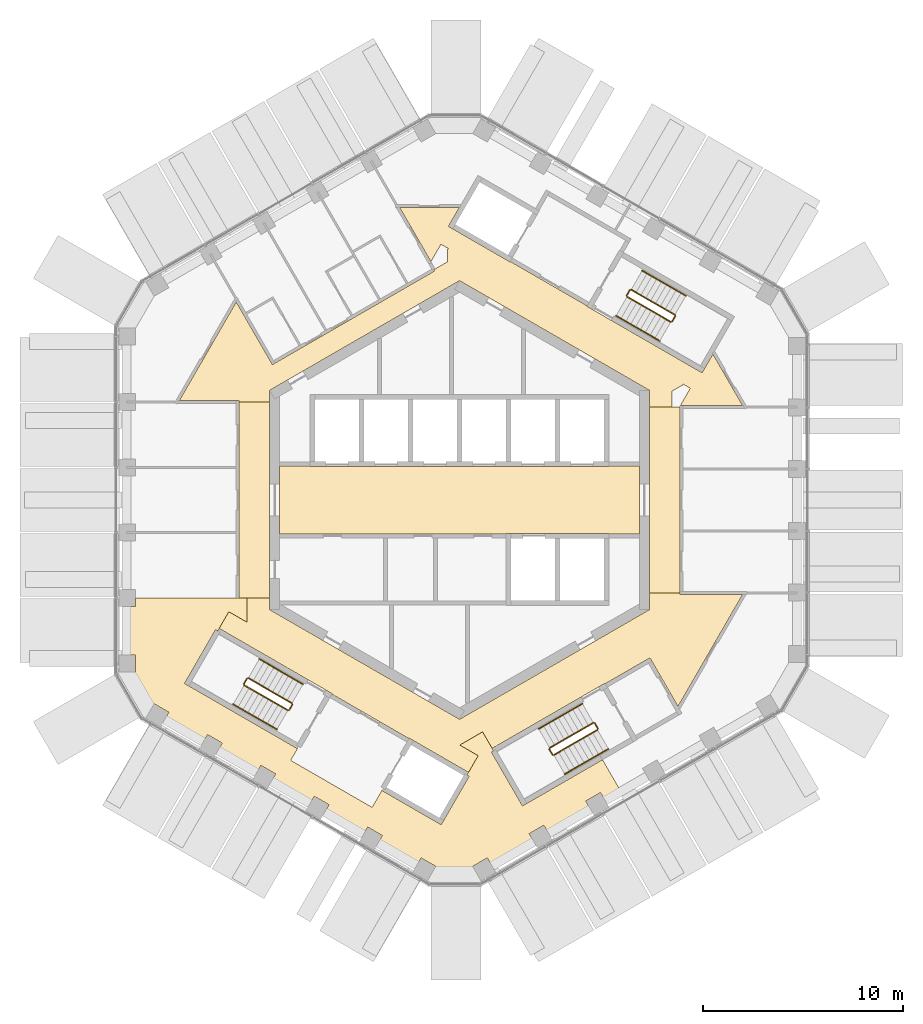
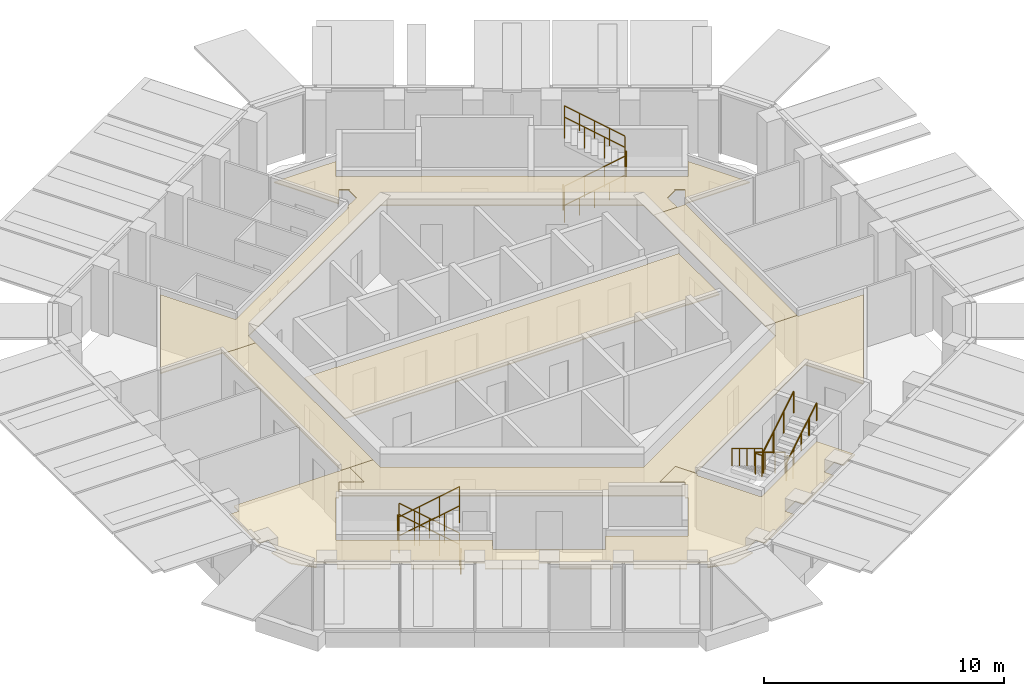
# One storey, part 17 of 17: 24 railings, 6 coverings.
"""IFC4 building model written with IfcOpenShell, lengths in metres."""

from ifc_helpers import new_model, si_unit, direction, frame, origin, origin_2d, place, context, subcontext, project, spatial, polyline, circle, outline, extrude, material, layer, layer_set, type_object, element, save


model = new_model("IFC4")

# Units and contexts
model_context = context("Model", 3, precision=1e-05, world=origin(), true_north=direction((0.0, 1.0)))
body_context = subcontext(model_context, "Body", "Model", "MODEL_VIEW")
ifc_project = project(units=[si_unit("LENGTHUNIT", "METRE"), si_unit("AREAUNIT", "SQUARE_METRE"), si_unit("VOLUMEUNIT", "CUBIC_METRE"), si_unit("PLANEANGLEUNIT", "RADIAN"), si_unit("MASSUNIT", "GRAM", prefix="KILO")], contexts=[model_context])

# Site, building, storey
site_placement = place(None, origin())
site = spatial("IfcSite", under=ifc_project, at=site_placement, CompositionType="ELEMENT")
building_placement = place(site_placement, origin())
building = spatial("IfcBuilding", under=site, at=building_placement, Name="Ayvan Gate Tower", CompositionType="ELEMENT")
storey_placement = place(building_placement, frame((0.0, 0.0, 232.5)))
storey = spatial("IfcBuildingStorey", under=building, at=storey_placement, Name="L62", CompositionType="ELEMENT", Elevation=232.5)

# Coverings
ifc_material_1 = material(Name="Plasterboard suspended ceiling")
ifc_layer = layer(ifc_material_1, 0.050048828125)
ifc_layer_set = layer_set([ifc_layer], Name="Plasterboard suspended ceiling")
covering_type = type_object("IfcCoveringType", Name="CT-SUSP-50", PredefinedType="CEILING", material=ifc_layer_set)
covering_1_placement = place(storey_placement, frame((0.0, 0.0, 2.699951171875)))
element("IfcCovering", 1, at=covering_1_placement, inside=storey, type_object=covering_type, Name="Ceiling Lift Lobby L62", PredefinedType="CEILING", context=body_context, shape_type="SweptSolid", body=[
    extrude(outline(polyline([(7.47509765625, -1.675048828125), (2.324951171875, -1.675048828125), (2.324951171875, -1.699951171875), (-9.0, -1.699951171875), (-9.0, 1.699951171875), (-7.47509765625, 1.699951171875), (-7.47509765625, 1.675048828125), (7.47509765625, 1.675048828125), (7.47509765625, 1.699951171875), (9.0, 1.699951171875), (9.0, -1.699951171875), (7.47509765625, -1.699951171875), (7.47509765625, -1.675048828125)])), origin(), (0.0, 0.0, 1.0), 0.050048828125),
])
covering_2_placement = place(storey_placement, frame((0.0, 0.0, 2.699951171875)))
element("IfcCovering", 2, at=covering_2_placement, inside=storey, type_object=covering_type, Name="Ceiling Gallery L62", PredefinedType="CEILING", context=body_context, shape_type="SweptSolid", body=[
    extrude(outline(polyline([(-4.66748046875, -8.27490234375), (0.0, -10.9697265625), (4.66748046875, -8.27490234375), (8.38720703125, -6.127197265625), (9.5, -5.48486328125), (9.5, -4.646240234375), (11.02490234375, -4.646240234375), (11.02490234375, -4.72119140625), (14.160400390625, -4.72119140625), (10.92578125, -10.323974609375), (9.623779296875, -8.069091796875), (9.52392578125, -7.89599609375), (7.2939453125, -9.183349609375), (7.281494140625, -9.16162109375), (1.630615234375, -12.42431640625), (1.153076171875, -11.59716796875), (0.010009765625, -12.257080078125), (0.930419921875, -12.78857421875), (0.447998046875, -13.624267578125), (-2.284423828125, -12.046630859375), (-2.518310546875, -11.91162109375), (-2.53076171875, -11.933349609375), (-6.384521484375, -9.70849609375), (-6.3720703125, -9.686767578125), (-12.02294921875, -6.42431640625), (-11.540283203125, -5.58837890625), (-10.6201171875, -6.119873046875), (-10.6201171875, -4.89306640625), (-9.5, -4.89306640625), (-9.5, -5.48486328125), (-4.66748046875, -8.27490234375)])), origin(), (0.0, 0.0, 1.0), 0.050048828125),
])
covering_3_placement = place(storey_placement, frame((0.0, 0.0, 2.699951171875)))
element("IfcCovering", 3, at=covering_3_placement, inside=storey, type_object=covering_type, Name="Ceiling Gallery L62", PredefinedType="CEILING", context=body_context, shape_type="SweptSolid", body=[
    extrude(outline(polyline([(-9.2314453125, 6.846435546875), (-9.2314453125, 6.8466796875), (-1.24853515625, 11.455322265625), (-1.2861328125, 11.5205078125), (-0.60009765625, 11.91650390625), (-0.60009765625, 12.56298828125), (-0.53955078125, 12.56298828125), (-0.930419921875, 12.78857421875), (-1.43115234375, 11.92138671875), (-2.991455078125, 14.623779296875), (-0.01513671875, 14.623779296875), (-0.55615234375, 13.686767578125), (-0.339599609375, 13.561767578125), (2.518310546875, 11.91162109375), (2.53076171875, 11.933349609375), (6.384521484375, 9.70849609375), (6.3720703125, 9.686767578125), (6.588623046875, 9.561767578125), (12.131103515625, 6.36181640625), (12.24609375, 6.56103515625), (12.672119140625, 7.298828125), (14.160400390625, 4.72119140625), (11.039794921875, 4.72119140625), (11.540283203125, 5.58837890625), (11.149658203125, 5.814208984375), (11.1796875, 5.76171875), (10.6201171875, 5.438720703125), (10.6201171875, 4.646240234375), (9.5, 4.646240234375), (9.5, 5.48486328125), (4.66748046875, 8.27490234375), (0.0, 10.9697265625), (-4.667724609375, 8.27490234375), (-9.5, 5.48486328125), (-9.5, 4.89306640625), (-11.02490234375, 4.89306640625), (-11.02490234375, 4.968017578125), (-14.017822265625, 4.968017578125), (-11.1689453125, 9.902587890625), (-9.361328125, 6.771484375), (-9.2314453125, 6.846435546875)])), origin(), (0.0, 0.0, 1.0), 0.050048828125),
])
covering_4_placement = place(storey_placement, frame((0.0, 0.0, 2.699951171875)))
element("IfcCovering", 4, at=covering_4_placement, inside=storey, type_object=covering_type, Name="Ceiling Lift Lounge Lobby L62", PredefinedType="CEILING", context=body_context, shape_type="SweptSolid", body=[
    extrude(outline(polyline([(11.02490234375, -4.646240234375), (9.5, -4.646240234375), (9.5, 4.646240234375), (11.02490234375, 4.646240234375), (11.02490234375, -4.5712890625), (11.02490234375, -4.5712890625), (11.02490234375, -4.646240234375)])), origin(), (0.0, 0.0, 1.0), 0.050048828125),
])
covering_5_placement = place(storey_placement, frame((0.0, 0.0, 2.699951171875)))
element("IfcCovering", 5, at=covering_5_placement, inside=storey, type_object=covering_type, Name="Ceiling Lift Lounge Lobby L62", PredefinedType="CEILING", context=body_context, shape_type="SweptSolid", body=[
    extrude(outline(polyline([(-11.02490234375, 4.89306640625), (-9.5, 4.89306640625), (-9.5, -4.89306640625), (-11.02490234375, -4.89306640625), (-11.02490234375, 4.89306640625)])), origin(), (0.0, 0.0, 1.0), 0.050048828125),
])
covering_6_placement = place(storey_placement, frame((0.0, 0.0, 2.699951171875)))
element("IfcCovering", 6, at=covering_6_placement, inside=storey, type_object=covering_type, Name="Ceiling Gym L62", PredefinedType="CEILING", context=body_context, shape_type="SweptSolid", body=[
    extrude(outline(polyline([(-13.53955078125, -9.301513671875), (-8.106201171875, -12.438232421875), (-8.444091796875, -13.023681640625), (-4.3720703125, -15.374755859375), (-3.88427734375, -14.529541015625), (-0.9189453125, -16.24169921875), (-0.803955078125, -16.042236328125), (0.483642578125, -13.812255859375), (0.376220703125, -13.750244140625), (0.38671875, -13.732177734375), (0.931640625, -12.7880859375), (0.011962890625, -12.257080078125), (1.152587890625, -11.5986328125), (1.691650390625, -12.531982421875), (1.7021484375, -12.55029296875), (1.5947265625, -12.6123046875), (3.147216796875, -15.30126953125), (3.346435546875, -15.186279296875), (7.15185546875, -12.9892578125), (8.064453125, -14.56982421875), (7.277587890625, -15.024169921875), (7.05029296875, -14.63037109375), (6.314208984375, -15.055419921875), (6.54150390625, -15.44921875), (4.44677734375, -16.65869140625), (4.219482421875, -16.264892578125), (3.4833984375, -16.689697265625), (3.710693359375, -17.08349609375), (1.61572265625, -18.29296875), (1.388427734375, -17.899169921875), (0.65234375, -18.32421875), (0.820556640625, -18.615478515625), (-0.2373046875, -18.898681640625), (-1.3466796875, -18.6015625), (-1.1865234375, -18.32421875), (-1.922607421875, -17.899169921875), (-2.135009765625, -18.267333984375), (-4.069580078125, -17.150390625), (-3.857177734375, -16.7822265625), (-4.59326171875, -16.357421875), (-4.805908203125, -16.725341796875), (-6.740234375, -15.6083984375), (-6.52783203125, -15.240478515625), (-7.263916015625, -14.8154296875), (-7.4765625, -15.18359375), (-9.410888671875, -14.06640625), (-9.198486328125, -13.698486328125), (-9.9345703125, -13.2734375), (-10.147216796875, -13.6416015625), (-12.081787109375, -12.524658203125), (-11.869140625, -12.156494140625), (-12.605224609375, -11.731689453125), (-12.81787109375, -12.099609375), (-14.75244140625, -10.982666015625), (-14.539794921875, -10.61474609375), (-15.27587890625, -10.189697265625), (-15.43603515625, -10.467041015625), (-16.248291015625, -9.655029296875), (-16.531494140625, -8.59716796875), (-16.1953125, -8.59716796875), (-16.1953125, -7.7470703125), (-16.650146484375, -7.7470703125), (-16.650146484375, -5.328369140625), (-16.1953125, -5.328369140625), (-16.1953125, -4.89404296875), (-10.62109375, -4.89404296875), (-10.62109375, -6.1181640625), (-11.540771484375, -5.587158203125), (-12.09619140625, -6.54931640625), (-12.20361328125, -6.4873046875), (-13.756103515625, -9.17626953125), (-13.53955078125, -9.30126953125), (-13.53955078125, -9.301513671875)])), origin(), (0.0, 0.0, 1.0), 0.050048828125),
])

# Railings
ifc_material_2 = material(Name="Stainless steel balustrade", Category="steel")
railing_type_1 = type_object("IfcRailingType", Name="RL-GUARD-1100", PredefinedType="GUARDRAIL", material=ifc_material_2)
railing_1_placement = place(storey_placement, frame((8.381103515625, 10.16650390625, 0.169921875)))
element("IfcRailing", 7, at=railing_1_placement, inside=storey, type_object=railing_type_1, Name="L62 STS1 stair guard 1", PredefinedType="GUARDRAIL", context=body_context, shape_type="SweptSolid", body=[
    extrude(circle(Radius=0.02392578125, at=origin_2d()), frame((0.0, 0.0, 1.076171875), z_axis=(0.740261155115, -0.427395438142, 0.518986090067), x_axis=(0.500004791531, 0.866022637375, 0.0)), (0.0, 0.0, 1.0), 2.947998046875),
    extrude(circle(Radius=0.02099609375, at=origin_2d()), origin(), (0.0, 0.0, 1.0), 1.052001953125),
    extrude(circle(Radius=0.02099609375, at=origin_2d()), frame((0.7275390625, -0.419921875, 0.510009765625)), (0.0, 0.0, 1.0), 1.052001953125),
    extrude(circle(Radius=0.02099609375, at=origin_2d()), frame((1.454833984375, -0.840087890625, 1.02001953125)), (0.0, 0.0, 1.0), 1.052001953125),
    extrude(circle(Radius=0.02099609375, at=origin_2d()), frame((2.182373046875, -1.260009765625, 1.530029296875)), (0.0, 0.0, 1.0), 1.052001953125),
])
railing_2_placement = place(storey_placement, frame((10.6318359375, 8.9248046875, 1.699951171875)))
element("IfcRailing", 8, at=railing_2_placement, inside=storey, type_object=railing_type_1, Name="L62 STS1 stair guard 2", PredefinedType="GUARDRAIL", context=body_context, shape_type="SweptSolid", body=[
    extrude(circle(Radius=0.02392578125, at=origin_2d()), frame((0.0, 0.0, 1.076171875), z_axis=(0.499949632511, 0.866054481515, 0.0), x_axis=(-0.866054481515, 0.499949632511, 0.0)), (0.0, 0.0, 1.0), 0.31005859375),
    extrude(circle(Radius=0.02099609375, at=origin_2d()), origin(), (0.0, 0.0, 1.0), 1.052001953125),
    extrude(circle(Radius=0.02099609375, at=origin_2d()), frame((0.155029296875, 0.2685546875, 0.0)), (0.0, 0.0, 1.0), 1.052001953125),
])
railing_3_placement = place(storey_placement, frame((10.7685546875, 9.261474609375, 1.8701171875)))
element("IfcRailing", 9, at=railing_3_placement, inside=storey, type_object=railing_type_1, Name="L62 STS1 stair guard 3", PredefinedType="GUARDRAIL", context=body_context, shape_type="SweptSolid", body=[
    extrude(circle(Radius=0.02392578125, at=origin_2d()), frame((0.0, 0.0, 1.076171875), z_axis=(-0.740292969978, 0.427413806696, 0.51892557891), x_axis=(-0.500004791531, -0.866022637375, 0.0)), (0.0, 0.0, 1.0), 2.947998046875),
    extrude(circle(Radius=0.02099609375, at=origin_2d()), origin(), (0.0, 0.0, 1.0), 1.052001953125),
    extrude(circle(Radius=0.02099609375, at=origin_2d()), frame((-0.7275390625, 0.419921875, 0.510009765625)), (0.0, 0.0, 1.0), 1.052001953125),
    extrude(circle(Radius=0.02099609375, at=origin_2d()), frame((-1.454833984375, 0.840087890625, 1.019775390625)), (0.0, 0.0, 1.0), 1.052001953125),
    extrude(circle(Radius=0.02099609375, at=origin_2d()), frame((-2.182373046875, 1.260009765625, 1.52978515625)), (0.0, 0.0, 1.0), 1.052001953125),
])
railing_4_placement = place(storey_placement, frame((8.36279296875, 10.23486328125, 0.0)))
element("IfcRailing", 10, at=railing_4_placement, inside=storey, type_object=railing_type_1, Name="L62 STS1 stair guard 4", PredefinedType="GUARDRAIL", context=body_context, shape_type="SweptSolid", body=[
    extrude(circle(Radius=0.02392578125, at=origin_2d()), frame((0.0, 0.0, 1.076171875), z_axis=(0.500290723946, 0.86585748916, 0.0), x_axis=(-0.86585748916, 0.500290723946, 0.0)), (0.0, 0.0, 1.0), 0.309814453125),
    extrude(circle(Radius=0.02099609375, at=origin_2d()), origin(), (0.0, 0.0, 1.0), 1.052001953125),
    extrude(circle(Radius=0.02099609375, at=origin_2d()), frame((0.155029296875, 0.268310546875, 0.0)), (0.0, 0.0, 1.0), 1.052001953125),
])
railing_5_placement = place(storey_placement, frame((-8.381103515625, -10.16650390625, 0.169921875)))
element("IfcRailing", 11, at=railing_5_placement, inside=storey, type_object=railing_type_1, Name="L62 STS2 stair guard 1", PredefinedType="GUARDRAIL", context=body_context, shape_type="SweptSolid", body=[
    extrude(circle(Radius=0.02392578125, at=origin_2d()), frame((0.0, 0.0, 1.076171875), z_axis=(-0.740261155115, 0.427395438142, 0.518986090067), x_axis=(-0.500004791531, -0.866022637375, 0.0)), (0.0, 0.0, 1.0), 2.947998046875),
    extrude(circle(Radius=0.02099609375, at=origin_2d()), origin(), (0.0, 0.0, 1.0), 1.052001953125),
    extrude(circle(Radius=0.02099609375, at=origin_2d()), frame((-0.7275390625, 0.419921875, 0.510009765625)), (0.0, 0.0, 1.0), 1.052001953125),
    extrude(circle(Radius=0.02099609375, at=origin_2d()), frame((-1.454833984375, 0.840087890625, 1.02001953125)), (0.0, 0.0, 1.0), 1.052001953125),
    extrude(circle(Radius=0.02099609375, at=origin_2d()), frame((-2.182373046875, 1.260009765625, 1.530029296875)), (0.0, 0.0, 1.0), 1.052001953125),
])
railing_6_placement = place(storey_placement, frame((-10.6318359375, -8.9248046875, 1.699951171875)))
element("IfcRailing", 12, at=railing_6_placement, inside=storey, type_object=railing_type_1, Name="L62 STS2 stair guard 2", PredefinedType="GUARDRAIL", context=body_context, shape_type="SweptSolid", body=[
    extrude(circle(Radius=0.02392578125, at=origin_2d()), frame((0.0, 0.0, 1.076171875), z_axis=(-0.499949632511, -0.866054481515, 0.0), x_axis=(0.866054481515, -0.499949632511, 0.0)), (0.0, 0.0, 1.0), 0.31005859375),
    extrude(circle(Radius=0.02099609375, at=origin_2d()), origin(), (0.0, 0.0, 1.0), 1.052001953125),
    extrude(circle(Radius=0.02099609375, at=origin_2d()), frame((-0.155029296875, -0.2685546875, 0.0)), (0.0, 0.0, 1.0), 1.052001953125),
])
railing_7_placement = place(storey_placement, frame((-10.7685546875, -9.261474609375, 1.8701171875)))
element("IfcRailing", 13, at=railing_7_placement, inside=storey, type_object=railing_type_1, Name="L62 STS2 stair guard 3", PredefinedType="GUARDRAIL", context=body_context, shape_type="SweptSolid", body=[
    extrude(circle(Radius=0.02392578125, at=origin_2d()), frame((0.0, 0.0, 1.076171875), z_axis=(0.740292969978, -0.427413806696, 0.51892557891), x_axis=(0.500004791531, 0.866022637375, 0.0)), (0.0, 0.0, 1.0), 2.947998046875),
    extrude(circle(Radius=0.02099609375, at=origin_2d()), origin(), (0.0, 0.0, 1.0), 1.052001953125),
    extrude(circle(Radius=0.02099609375, at=origin_2d()), frame((0.7275390625, -0.419921875, 0.510009765625)), (0.0, 0.0, 1.0), 1.052001953125),
    extrude(circle(Radius=0.02099609375, at=origin_2d()), frame((1.454833984375, -0.840087890625, 1.019775390625)), (0.0, 0.0, 1.0), 1.052001953125),
    extrude(circle(Radius=0.02099609375, at=origin_2d()), frame((2.182373046875, -1.260009765625, 1.52978515625)), (0.0, 0.0, 1.0), 1.052001953125),
])
railing_8_placement = place(storey_placement, frame((-8.36279296875, -10.23486328125, 0.0)))
element("IfcRailing", 14, at=railing_8_placement, inside=storey, type_object=railing_type_1, Name="L62 STS2 stair guard 4", PredefinedType="GUARDRAIL", context=body_context, shape_type="SweptSolid", body=[
    extrude(circle(Radius=0.02392578125, at=origin_2d()), frame((0.0, 0.0, 1.076171875), z_axis=(-0.500290723946, -0.86585748916, 0.0), x_axis=(0.86585748916, -0.500290723946, 0.0)), (0.0, 0.0, 1.0), 0.309814453125),
    extrude(circle(Radius=0.02099609375, at=origin_2d()), origin(), (0.0, 0.0, 1.0), 1.052001953125),
    extrude(circle(Radius=0.02099609375, at=origin_2d()), frame((-0.155029296875, -0.268310546875, 0.0)), (0.0, 0.0, 1.0), 1.052001953125),
])
railing_9_placement = place(storey_placement, frame((6.6923828125, -11.1416015625, 0.169921875)))
element("IfcRailing", 15, at=railing_9_placement, inside=storey, type_object=railing_type_1, Name="L62 STS3 stair guard 1", PredefinedType="GUARDRAIL", context=body_context, shape_type="SweptSolid", body=[
    extrude(circle(Radius=0.02392578125, at=origin_2d()), frame((0.0, 0.0, 1.076171875), z_axis=(-0.740261155115, -0.427395438142, 0.518986090067), x_axis=(0.500004791531, -0.866022637375, 0.0)), (0.0, 0.0, 1.0), 2.947998046875),
    extrude(circle(Radius=0.02099609375, at=origin_2d()), origin(), (0.0, 0.0, 1.0), 1.052001953125),
    extrude(circle(Radius=0.02099609375, at=origin_2d()), frame((-0.7275390625, -0.419921875, 0.510009765625)), (0.0, 0.0, 1.0), 1.052001953125),
    extrude(circle(Radius=0.02099609375, at=origin_2d()), frame((-1.454833984375, -0.840087890625, 1.02001953125)), (0.0, 0.0, 1.0), 1.052001953125),
    extrude(circle(Radius=0.02099609375, at=origin_2d()), frame((-2.182373046875, -1.260009765625, 1.530029296875)), (0.0, 0.0, 1.0), 1.052001953125),
])
railing_10_placement = place(storey_placement, frame((4.49169921875, -12.4697265625, 1.699951171875)))
element("IfcRailing", 16, at=railing_10_placement, inside=storey, type_object=railing_type_1, Name="L62 STS3 stair guard 2", PredefinedType="GUARDRAIL", context=body_context, shape_type="SweptSolid", body=[
    extrude(circle(Radius=0.02392578125, at=origin_2d()), frame((0.0, 0.0, 1.076171875), z_axis=(0.499949632511, -0.866054481515, 0.0), x_axis=(0.866054481515, 0.499949632511, 0.0)), (0.0, 0.0, 1.0), 0.31005859375),
    extrude(circle(Radius=0.02099609375, at=origin_2d()), origin(), (0.0, 0.0, 1.0), 1.052001953125),
    extrude(circle(Radius=0.02099609375, at=origin_2d()), frame((0.155029296875, -0.2685546875, 0.0)), (0.0, 0.0, 1.0), 1.052001953125),
])
railing_11_placement = place(storey_placement, frame((4.715087890625, -12.756591796875, 1.8701171875)))
element("IfcRailing", 17, at=railing_11_placement, inside=storey, type_object=railing_type_1, Name="L62 STS3 stair guard 3", PredefinedType="GUARDRAIL", context=body_context, shape_type="SweptSolid", body=[
    extrude(circle(Radius=0.02392578125, at=origin_2d()), frame((0.0, 0.0, 1.076171875), z_axis=(0.740292969978, 0.427413806696, 0.51892557891), x_axis=(-0.500004791531, 0.866022637375, 0.0)), (0.0, 0.0, 1.0), 2.947998046875),
    extrude(circle(Radius=0.02099609375, at=origin_2d()), origin(), (0.0, 0.0, 1.0), 1.052001953125),
    extrude(circle(Radius=0.02099609375, at=origin_2d()), frame((0.7275390625, 0.419921875, 0.510009765625)), (0.0, 0.0, 1.0), 1.052001953125),
    extrude(circle(Radius=0.02099609375, at=origin_2d()), frame((1.454833984375, 0.840087890625, 1.019775390625)), (0.0, 0.0, 1.0), 1.052001953125),
    extrude(circle(Radius=0.02099609375, at=origin_2d()), frame((2.182373046875, 1.260009765625, 1.52978515625)), (0.0, 0.0, 1.0), 1.052001953125),
])
railing_12_placement = place(storey_placement, frame((6.7607421875, -11.159912109375, 0.0)))
element("IfcRailing", 18, at=railing_12_placement, inside=storey, type_object=railing_type_1, Name="L62 STS3 stair guard 4", PredefinedType="GUARDRAIL", context=body_context, shape_type="SweptSolid", body=[
    extrude(circle(Radius=0.02392578125, at=origin_2d()), frame((0.0, 0.0, 1.076171875), z_axis=(0.500290723946, -0.86585748916, 0.0), x_axis=(0.86585748916, 0.500290723946, 0.0)), (0.0, 0.0, 1.0), 0.309814453125),
    extrude(circle(Radius=0.02099609375, at=origin_2d()), origin(), (0.0, 0.0, 1.0), 1.052001953125),
    extrude(circle(Radius=0.02099609375, at=origin_2d()), frame((0.155029296875, -0.268310546875, 0.0)), (0.0, 0.0, 1.0), 1.052001953125),
])
railing_type_2 = type_object("IfcRailingType", Name="RL-HANDRAIL-900", PredefinedType="HANDRAIL", material=ifc_material_2)
railing_13_placement = place(storey_placement, frame((7.8310546875, 9.2138671875, 0.169921875)))
element("IfcRailing", 19, at=railing_13_placement, inside=storey, type_object=railing_type_2, Name="L62 STS1 stair handrail 1", PredefinedType="HANDRAIL", context=body_context, shape_type="SweptSolid", body=[
    extrude(circle(Radius=0.02392578125, at=origin_2d()), frame((0.0, 0.0, 0.8759765625), z_axis=(0.740292964666, -0.42728318766, 0.519033143459), x_axis=(0.499890179513, 0.866088799389, 0.0)), (0.0, 0.0, 1.0), 1.47412109375),
    extrude(circle(Radius=0.02099609375, at=origin_2d()), origin(), (0.0, 0.0, 1.0), 0.851806640625),
    extrude(circle(Radius=0.02099609375, at=origin_2d()), frame((0.545654296875, -0.31494140625, 0.382568359375)), (0.0, 0.0, 1.0), 0.851806640625),
    extrude(circle(Radius=0.02099609375, at=origin_2d()), frame((1.09130859375, -0.6298828125, 0.76513671875)), (0.0, 0.0, 1.0), 0.851806640625),
])
railing_14_placement = place(storey_placement, frame((8.92236328125, 8.583984375, 0.93505859375)))
element("IfcRailing", 20, at=railing_14_placement, inside=storey, type_object=railing_type_2, Name="L62 STS1 stair handrail 2", PredefinedType="HANDRAIL", context=body_context, shape_type="SweptSolid", body=[
    extrude(circle(Radius=0.02392578125, at=origin_2d()), frame((0.0, 0.0, 0.8759765625), z_axis=(0.740229329464, -0.427507697325, 0.518939021976), x_axis=(0.50011940292, 0.865956455501, 0.0)), (0.0, 0.0, 1.0), 1.473876953125),
    extrude(circle(Radius=0.02099609375, at=origin_2d()), origin(), (0.0, 0.0, 1.0), 0.851806640625),
    extrude(circle(Radius=0.02099609375, at=origin_2d()), frame((0.54541015625, -0.31494140625, 0.38232421875)), (0.0, 0.0, 1.0), 0.851806640625),
    extrude(circle(Radius=0.02099609375, at=origin_2d()), frame((1.091064453125, -0.630126953125, 0.764892578125)), (0.0, 0.0, 1.0), 0.851806640625),
])
railing_15_placement = place(storey_placement, frame((11.318603515625, 10.214111328125, 1.8701171875)))
element("IfcRailing", 21, at=railing_15_placement, inside=storey, type_object=railing_type_2, Name="L62 STS1 stair handrail 3", PredefinedType="HANDRAIL", context=body_context, shape_type="SweptSolid", body=[
    extrude(circle(Radius=0.02392578125, at=origin_2d()), frame((0.0, 0.0, 0.8759765625), z_axis=(-0.740304193401, 0.427455284825, 0.518875399983), x_axis=(-0.500035496587, -0.86600490885, 0.0)), (0.0, 0.0, 1.0), 1.47412109375),
    extrude(circle(Radius=0.02099609375, at=origin_2d()), origin(), (0.0, 0.0, 1.0), 0.851806640625),
    extrude(circle(Radius=0.02099609375, at=origin_2d()), frame((-0.545654296875, 0.31494140625, 0.38232421875)), (0.0, 0.0, 1.0), 0.851806640625),
    extrude(circle(Radius=0.02099609375, at=origin_2d()), frame((-1.09130859375, 0.630126953125, 0.764892578125)), (0.0, 0.0, 1.0), 0.851806640625),
])
railing_16_placement = place(storey_placement, frame((10.227294921875, 10.84423828125, 2.635009765625)))
element("IfcRailing", 22, at=railing_16_placement, inside=storey, type_object=railing_type_2, Name="L62 STS1 stair handrail 4", PredefinedType="HANDRAIL", context=body_context, shape_type="SweptSolid", body=[
    extrude(circle(Radius=0.02392578125, at=origin_2d()), frame((0.0, 0.0, 0.8759765625), z_axis=(-0.740356597536, 0.427319915356, 0.518912129772), x_axis=(-0.499890179513, -0.866088799389, 0.0)), (0.0, 0.0, 1.0), 1.47412109375),
    extrude(circle(Radius=0.02099609375, at=origin_2d()), origin(), (0.0, 0.0, 1.0), 0.851806640625),
    extrude(circle(Radius=0.02099609375, at=origin_2d()), frame((-0.545654296875, 0.31494140625, 0.38232421875)), (0.0, 0.0, 1.0), 0.851806640625),
    extrude(circle(Radius=0.02099609375, at=origin_2d()), frame((-1.09130859375, 0.6298828125, 0.764892578125)), (0.0, 0.0, 1.0), 0.851806640625),
])
railing_17_placement = place(storey_placement, frame((-7.8310546875, -9.2138671875, 0.169921875)))
element("IfcRailing", 23, at=railing_17_placement, inside=storey, type_object=railing_type_2, Name="L62 STS2 stair handrail 1", PredefinedType="HANDRAIL", context=body_context, shape_type="SweptSolid", body=[
    extrude(circle(Radius=0.02392578125, at=origin_2d()), frame((0.0, 0.0, 0.8759765625), z_axis=(-0.740292964666, 0.42728318766, 0.519033143459), x_axis=(-0.499890179513, -0.866088799389, 0.0)), (0.0, 0.0, 1.0), 1.47412109375),
    extrude(circle(Radius=0.02099609375, at=origin_2d()), origin(), (0.0, 0.0, 1.0), 0.851806640625),
    extrude(circle(Radius=0.02099609375, at=origin_2d()), frame((-0.545654296875, 0.31494140625, 0.382568359375)), (0.0, 0.0, 1.0), 0.851806640625),
    extrude(circle(Radius=0.02099609375, at=origin_2d()), frame((-1.09130859375, 0.6298828125, 0.76513671875)), (0.0, 0.0, 1.0), 0.851806640625),
])
railing_18_placement = place(storey_placement, frame((-8.92236328125, -8.583984375, 0.93505859375)))
element("IfcRailing", 24, at=railing_18_placement, inside=storey, type_object=railing_type_2, Name="L62 STS2 stair handrail 2", PredefinedType="HANDRAIL", context=body_context, shape_type="SweptSolid", body=[
    extrude(circle(Radius=0.02392578125, at=origin_2d()), frame((0.0, 0.0, 0.8759765625), z_axis=(-0.740229329464, 0.427507697325, 0.518939021976), x_axis=(-0.50011940292, -0.865956455501, 0.0)), (0.0, 0.0, 1.0), 1.473876953125),
    extrude(circle(Radius=0.02099609375, at=origin_2d()), origin(), (0.0, 0.0, 1.0), 0.851806640625),
    extrude(circle(Radius=0.02099609375, at=origin_2d()), frame((-0.54541015625, 0.31494140625, 0.38232421875)), (0.0, 0.0, 1.0), 0.851806640625),
    extrude(circle(Radius=0.02099609375, at=origin_2d()), frame((-1.091064453125, 0.630126953125, 0.764892578125)), (0.0, 0.0, 1.0), 0.851806640625),
])
railing_19_placement = place(storey_placement, frame((-11.318603515625, -10.214111328125, 1.8701171875)))
element("IfcRailing", 25, at=railing_19_placement, inside=storey, type_object=railing_type_2, Name="L62 STS2 stair handrail 3", PredefinedType="HANDRAIL", context=body_context, shape_type="SweptSolid", body=[
    extrude(circle(Radius=0.02392578125, at=origin_2d()), frame((0.0, 0.0, 0.8759765625), z_axis=(0.740304193401, -0.427455284825, 0.518875399983), x_axis=(0.500035496587, 0.86600490885, 0.0)), (0.0, 0.0, 1.0), 1.47412109375),
    extrude(circle(Radius=0.02099609375, at=origin_2d()), origin(), (0.0, 0.0, 1.0), 0.851806640625),
    extrude(circle(Radius=0.02099609375, at=origin_2d()), frame((0.545654296875, -0.31494140625, 0.38232421875)), (0.0, 0.0, 1.0), 0.851806640625),
    extrude(circle(Radius=0.02099609375, at=origin_2d()), frame((1.09130859375, -0.630126953125, 0.764892578125)), (0.0, 0.0, 1.0), 0.851806640625),
])
railing_20_placement = place(storey_placement, frame((-10.227294921875, -10.84423828125, 2.635009765625)))
element("IfcRailing", 26, at=railing_20_placement, inside=storey, type_object=railing_type_2, Name="L62 STS2 stair handrail 4", PredefinedType="HANDRAIL", context=body_context, shape_type="SweptSolid", body=[
    extrude(circle(Radius=0.02392578125, at=origin_2d()), frame((0.0, 0.0, 0.8759765625), z_axis=(0.740356597536, -0.427319915356, 0.518912129772), x_axis=(0.499890179513, 0.866088799389, 0.0)), (0.0, 0.0, 1.0), 1.47412109375),
    extrude(circle(Radius=0.02099609375, at=origin_2d()), origin(), (0.0, 0.0, 1.0), 0.851806640625),
    extrude(circle(Radius=0.02099609375, at=origin_2d()), frame((0.545654296875, -0.31494140625, 0.38232421875)), (0.0, 0.0, 1.0), 0.851806640625),
    extrude(circle(Radius=0.02099609375, at=origin_2d()), frame((1.09130859375, -0.6298828125, 0.764892578125)), (0.0, 0.0, 1.0), 0.851806640625),
])
railing_21_placement = place(storey_placement, frame((6.142333984375, -10.18896484375, 0.169921875)))
element("IfcRailing", 27, at=railing_21_placement, inside=storey, type_object=railing_type_2, Name="L62 STS3 stair handrail 1", PredefinedType="HANDRAIL", context=body_context, shape_type="SweptSolid", body=[
    extrude(circle(Radius=0.02392578125, at=origin_2d()), frame((0.0, 0.0, 0.8759765625), z_axis=(-0.740218099111, -0.427335577468, 0.519096782863), x_axis=(0.499974077718, -0.866040369504, 0.0)), (0.0, 0.0, 1.0), 1.473876953125),
    extrude(circle(Radius=0.02099609375, at=origin_2d()), origin(), (0.0, 0.0, 1.0), 0.851806640625),
    extrude(circle(Radius=0.02099609375, at=origin_2d()), frame((-0.54541015625, -0.31494140625, 0.382568359375)), (0.0, 0.0, 1.0), 0.851806640625),
    extrude(circle(Radius=0.02099609375, at=origin_2d()), frame((-1.091064453125, -0.6298828125, 0.76513671875)), (0.0, 0.0, 1.0), 0.851806640625),
])
railing_22_placement = place(storey_placement, frame((5.05126953125, -10.81884765625, 0.93505859375)))
element("IfcRailing", 28, at=railing_22_placement, inside=storey, type_object=railing_type_2, Name="L62 STS3 stair handrail 2", PredefinedType="HANDRAIL", context=body_context, shape_type="SweptSolid", body=[
    extrude(circle(Radius=0.02392578125, at=origin_2d()), frame((0.0, 0.0, 0.8759765625), z_axis=(-0.740304193401, -0.427455284825, 0.518875399983), x_axis=(0.500035496587, -0.86600490885, 0.0)), (0.0, 0.0, 1.0), 1.47412109375),
    extrude(circle(Radius=0.02099609375, at=origin_2d()), origin(), (0.0, 0.0, 1.0), 0.851806640625),
    extrude(circle(Radius=0.02099609375, at=origin_2d()), frame((-0.545654296875, -0.31494140625, 0.38232421875)), (0.0, 0.0, 1.0), 0.851806640625),
    extrude(circle(Radius=0.02099609375, at=origin_2d()), frame((-1.09130859375, -0.630126953125, 0.764892578125)), (0.0, 0.0, 1.0), 0.851806640625),
])
railing_23_placement = place(storey_placement, frame((5.264892578125, -13.709228515625, 1.8701171875)))
element("IfcRailing", 29, at=railing_23_placement, inside=storey, type_object=railing_type_2, Name="L62 STS3 stair handrail 3", PredefinedType="HANDRAIL", context=body_context, shape_type="SweptSolid", body=[
    extrude(circle(Radius=0.02392578125, at=origin_2d()), frame((0.0, 0.0, 0.8759765625), z_axis=(0.740304193401, 0.427455284825, 0.518875399983), x_axis=(-0.500035496587, 0.86600490885, 0.0)), (0.0, 0.0, 1.0), 1.47412109375),
    extrude(circle(Radius=0.02099609375, at=origin_2d()), origin(), (0.0, 0.0, 1.0), 0.851806640625),
    extrude(circle(Radius=0.02099609375, at=origin_2d()), frame((0.545654296875, 0.31494140625, 0.38232421875)), (0.0, 0.0, 1.0), 0.851806640625),
    extrude(circle(Radius=0.02099609375, at=origin_2d()), frame((1.09130859375, 0.630126953125, 0.764892578125)), (0.0, 0.0, 1.0), 0.851806640625),
])
railing_24_placement = place(storey_placement, frame((6.356201171875, -13.0791015625, 2.635009765625)))
element("IfcRailing", 30, at=railing_24_placement, inside=storey, type_object=railing_type_2, Name="L62 STS3 stair handrail 4", PredefinedType="HANDRAIL", context=body_context, shape_type="SweptSolid", body=[
    extrude(circle(Radius=0.02392578125, at=origin_2d()), frame((0.0, 0.0, 0.8759765625), z_axis=(0.740281741151, 0.427372318678, 0.518975765278), x_axis=(-0.499974077718, 0.866040369504, 0.0)), (0.0, 0.0, 1.0), 1.473876953125),
    extrude(circle(Radius=0.02099609375, at=origin_2d()), origin(), (0.0, 0.0, 1.0), 0.851806640625),
    extrude(circle(Radius=0.02099609375, at=origin_2d()), frame((0.54541015625, 0.31494140625, 0.38232421875)), (0.0, 0.0, 1.0), 0.851806640625),
    extrude(circle(Radius=0.02099609375, at=origin_2d()), frame((1.091064453125, 0.6298828125, 0.764892578125)), (0.0, 0.0, 1.0), 0.851806640625),
])

save(model, "model.ifc")
